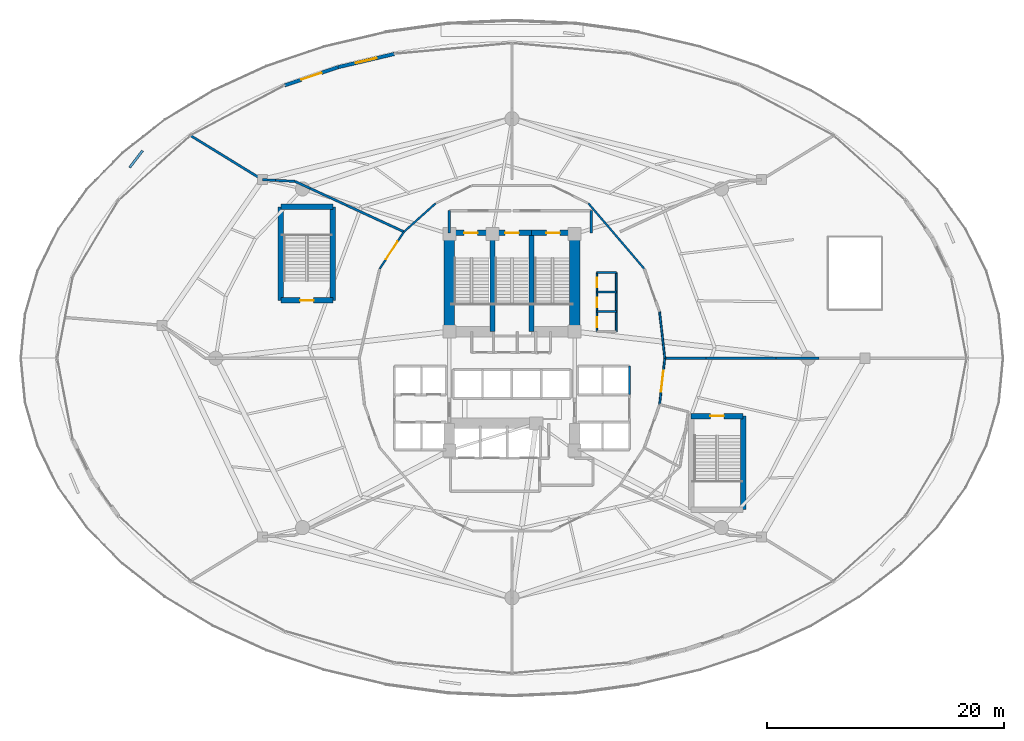
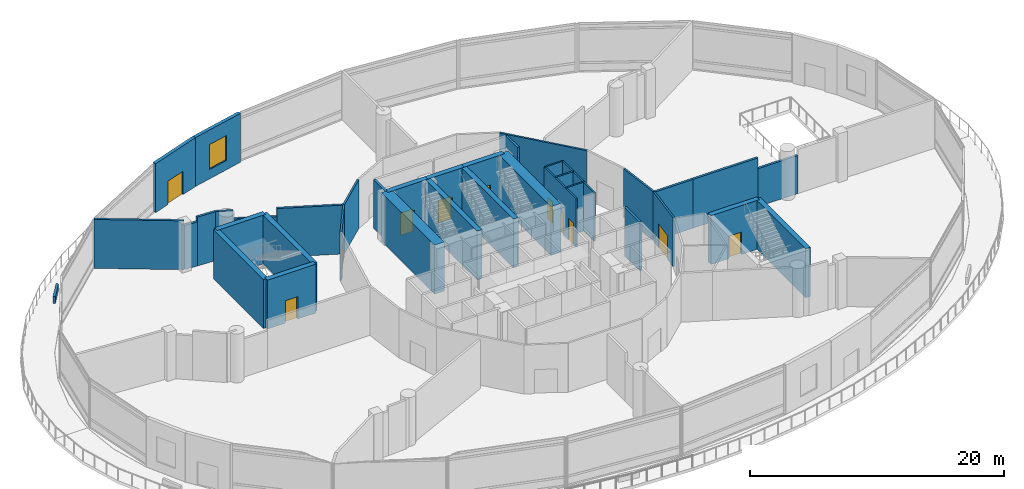
# One storey, part 28 of 37: 38 walls, 11 doors, 1 window, 12 openings.
"""IFC4 building model written with IfcOpenShell, lengths in metres."""

import ifcopenshell
import ifcopenshell.guid

model = None  # the IFC model being written
_history = None  # IfcOwnerHistory: only IFC2X3 demands one
_inside = {}  # id of a spatial element -> (the spatial element, [elements in it])
_under = {}  # id of a project, library or spatial element -> (it, [spatial elements below it])
_declared = {}  # id of a project -> (the project, [libraries it declares])
_typed = {}  # id of a type object -> (the type object, [elements of that type])
_made_of = {}  # id of a material, layer set ... -> (it, [elements and type objects made of it])


def new_model(schema):
    """Start an empty IFC model of exactly this schema.

    Asked for "IFC4X3", IfcOpenShell would pick the latest addendum, in which some entities
    have other attributes; the version numbers below select the first issue.
    IFC2X3 requires an IfcOwnerHistory on every rooted entity: one is made here for all.
    """
    global model, _history
    if schema == "IFC4X3":
        model = ifcopenshell.file(schema_version=(4, 3, 0, 0))
    else:
        model = ifcopenshell.file(schema=schema)
    _inside.clear()
    _under.clear()
    _declared.clear()
    _typed.clear()
    _made_of.clear()
    _history = None
    if model.schema == "IFC2X3":
        org = make("IfcOrganization", Name="unknown")
        user = make(
            "IfcPersonAndOrganization",
            ThePerson=make("IfcPerson", FamilyName="unknown"),
            TheOrganization=org,
        )
        app = make(
            "IfcApplication",
            ApplicationDeveloper=org,
            Version="unknown",
            ApplicationFullName="unknown",
            ApplicationIdentifier="unknown",
        )
        _history = make(
            "IfcOwnerHistory",
            OwningUser=user,
            OwningApplication=app,
            ChangeAction="ADDED",
            CreationDate=0,
        )
    return model


def make(cls, **values):
    """One entity of the class cls with the attributes given. An attribute that is None is left unset."""
    return model.create_entity(
        cls, **{name: value for name, value in values.items() if value is not None}
    )


def rooted(cls, **values):
    """An entity with a GlobalId (a new one), such as an element, a storey or a relation."""
    return make(cls, GlobalId=ifcopenshell.guid.new(), OwnerHistory=_history, **values)


def si_unit(unit_type, name, prefix=None):
    """IfcSIUnit, for example si_unit("LENGTHUNIT", "METRE", prefix="MILLI")."""
    return make("IfcSIUnit", UnitType=unit_type, Prefix=prefix, Name=name)


def assignment(units):
    """IfcUnitAssignment: the units of a project."""
    return None if units is None else make("IfcUnitAssignment", Units=units)


def point(xyz):
    """IfcCartesianPoint."""
    return None if xyz is None else make("IfcCartesianPoint", Coordinates=xyz)


def direction(xyz):
    """IfcDirection."""
    return None if xyz is None else make("IfcDirection", DirectionRatios=xyz)


def frame(location, z_axis=None, x_axis=None):
    """IfcAxis2Placement3D, a coordinate frame: its origin and axes. An axis left out is left unset."""
    return make(
        "IfcAxis2Placement3D",
        Location=point(location),
        Axis=direction(z_axis),
        RefDirection=direction(x_axis),
    )


def frame_2d(location, x_axis=None):
    """IfcAxis2Placement2D, a coordinate frame in the plane: its origin and x axis."""
    return make(
        "IfcAxis2Placement2D", Location=point(location), RefDirection=direction(x_axis)
    )


def origin():
    """The frame at (0, 0, 0) with its axes left unset."""
    return frame((0.0, 0.0, 0.0))


def place(relative_to, where):
    """IfcLocalPlacement: puts the frame where relative to a parent placement (None: the world)."""
    return make(
        "IfcLocalPlacement", PlacementRelTo=relative_to, RelativePlacement=where
    )


def context(
    kind, dimensions, precision=None, world=None, true_north=None, identifier=None
):
    """IfcGeometricRepresentationContext, for example the 3D "Model" context."""
    return make(
        "IfcGeometricRepresentationContext",
        ContextIdentifier=identifier,
        ContextType=kind,
        CoordinateSpaceDimension=dimensions,
        Precision=precision,
        WorldCoordinateSystem=world,
        TrueNorth=true_north,
    )


def subcontext(parent, identifier, kind, view, scale=None):
    """IfcGeometricRepresentationSubContext, for example "Body" below "Model"."""
    return make(
        "IfcGeometricRepresentationSubContext",
        ContextIdentifier=identifier,
        ContextType=kind,
        ParentContext=parent,
        TargetScale=scale,
        TargetView=view,
    )


def project(units=None, contexts=None):
    """IfcProject with its units and contexts."""
    return rooted(
        "IfcProject",
        Name="project",
        RepresentationContexts=contexts,
        UnitsInContext=assignment(units),
    )


def spatial(cls, under=None, at=None, **own):
    """A site, building, storey or space (cls), placed at a placement, below another one or the project."""
    s = rooted(cls, ObjectPlacement=at, **own)
    if under is not None:
        _under.setdefault(under.id(), (under, []))[1].append(s)
    return s


def profile(cls, at=None, kind="AREA", **sizes):
    """A parametric profile (cls). Its sizes go by their IFC names, for example OverallWidth=200.0."""
    return make(cls, ProfileType=kind, Position=at, **sizes)


def rectangle(**sizes):
    """IfcRectangleProfileDef."""
    return profile("IfcRectangleProfileDef", **sizes)


def extrude(swept, where, along, depth):
    """IfcExtrudedAreaSolid: the profile swept, set in the frame where, extruded along a direction by depth."""
    return make(
        "IfcExtrudedAreaSolid",
        SweptArea=swept,
        Position=where,
        ExtrudedDirection=direction(along),
        Depth=depth,
    )


def shape(context_of_items, identifier, shape_type, items):
    """IfcShapeRepresentation: the items that make up one representation, for example the "Body"."""
    return make(
        "IfcShapeRepresentation",
        ContextOfItems=context_of_items,
        RepresentationIdentifier=identifier,
        RepresentationType=shape_type,
        Items=items,
    )


def material(Name=None, Category=None):
    """IfcMaterial."""
    return make("IfcMaterial", Name=Name, Category=Category)


def layer(
    of_material, thickness, ventilated=None, Name=None, Category=None, Priority=None
):
    """IfcMaterialLayer: one layer of a wall or slab, of a material (None: an air gap)."""
    return make(
        "IfcMaterialLayer",
        Material=of_material,
        LayerThickness=thickness,
        IsVentilated=ventilated,
        Name=Name,
        Category=Category,
        Priority=Priority,
    )


def layer_set(layers, Name=None):
    """IfcMaterialLayerSet."""
    return make("IfcMaterialLayerSet", MaterialLayers=layers, LayerSetName=Name)


def made_of(thing, what):
    """Note that an element or type object is made of a material, layer set ...; save() writes the relation."""
    if what is not None:
        _made_of.setdefault(what.id(), (what, []))[1].append(thing)
    return thing


def type_object(cls, material=None, **own):
    """A type object (cls), such as IfcWallType, which elements share."""
    return made_of(rooted(cls, **own), material)


def element(
    cls,
    number,
    at=None,
    inside=None,
    cuts=None,
    type_object=None,
    material=None,
    context=None,
    identifier="Body",
    shape_type=None,
    held_by="IfcProductDefinitionShape",
    body=None,
    shapes=None,
    **own,
):
    """One element of the class cls, such as IfcWall. Its Tag is "e" and its number.

    at: its placement. inside: the storey or other place that contains it. cuts: it is an
    opening in that element (IfcRelVoidsElement). A single representation is given by context,
    identifier, shape_type and body (its items); several are given by shapes. held_by: the class
    of the entity that holds the representations. save() writes the other relations.
    """
    e = rooted(cls, Tag="e%d" % number, ObjectPlacement=at, **own)
    if body is not None:
        shapes = [shape(context, identifier, shape_type, body)]
    if shapes is not None:
        e.Representation = make(held_by, Representations=shapes)
    if inside is not None:
        _inside.setdefault(inside.id(), (inside, []))[1].append(e)
    if cuts is not None:
        rooted(
            "IfcRelVoidsElement", RelatingBuildingElement=cuts, RelatedOpeningElement=e
        )
    if type_object is not None:
        _typed.setdefault(type_object.id(), (type_object, []))[1].append(e)
    return made_of(e, material)


def fill(opening, filler):
    """IfcRelFillsElement: the door or window that sits in an opening."""
    return rooted(
        "IfcRelFillsElement",
        RelatingOpeningElement=opening,
        RelatedBuildingElement=filler,
    )


def aggregate(whole, parts):
    """IfcRelAggregates: a whole, such as a stair, and the parts it consists of."""
    return rooted("IfcRelAggregates", RelatingObject=whole, RelatedObjects=parts)


def save(model, path):
    """Write the relations noted so far, then the file.

    IfcRelAggregates (storeys below a building ...), IfcRelContainedInSpatialStructure (elements
    in a storey), IfcRelDefinesByType, IfcRelAssociatesMaterial and IfcRelDeclares: one each for
    every whole, place, type object, material and project.
    """
    for whole, parts in _under.values():
        aggregate(whole, parts)
    for where, things in _inside.values():
        rooted(
            "IfcRelContainedInSpatialStructure",
            RelatedElements=things,
            RelatingStructure=where,
        )
    for kind, things in _typed.values():
        rooted("IfcRelDefinesByType", RelatedObjects=things, RelatingType=kind)
    for what, things in _made_of.values():
        rooted("IfcRelAssociatesMaterial", RelatedObjects=things, RelatingMaterial=what)
    for by, libraries in _declared.values():
        rooted("IfcRelDeclares", RelatingContext=by, RelatedDefinitions=libraries)
    model.write(path)


model = new_model("IFC4")

# Units and contexts
model_context = context("Model", 3, precision=1e-05, world=origin(), true_north=direction((0.0, 1.0)))
body_context = subcontext(model_context, "Body", "Model", "MODEL_VIEW")
ifc_project = project(units=[si_unit("LENGTHUNIT", "METRE"), si_unit("AREAUNIT", "SQUARE_METRE"), si_unit("VOLUMEUNIT", "CUBIC_METRE"), si_unit("PLANEANGLEUNIT", "RADIAN"), si_unit("MASSUNIT", "GRAM", prefix="KILO")], contexts=[model_context])

# Site, building, storey
site_placement = place(None, origin())
site = spatial("IfcSite", under=ifc_project, at=site_placement, CompositionType="ELEMENT")
building_placement = place(site_placement, origin())
building = spatial("IfcBuilding", under=site, at=building_placement, Name="Nuhasar Tower", CompositionType="ELEMENT")
storey_placement = place(building_placement, frame((0.0, 0.0, 6.0)))
storey = spatial("IfcBuildingStorey", under=building, at=storey_placement, Name="L01", CompositionType="ELEMENT", Elevation=6.0)

# Wall, opening, window
ifc_material_1 = material(Name="Concrete C45/55", Category="concrete")
ifc_layer_1 = layer(ifc_material_1, 0.239990234375)
ifc_material_2 = material(Name="Limestone Ashlar", Category="masonry")
ifc_layer_2 = layer(ifc_material_2, 0.06005859375)
ifc_layer_set_1 = layer_set([ifc_layer_1, ifc_layer_2], Name="Concrete C45/55")
wall_type_1 = type_object("IfcWallType", Name="WL-ARC-300", PredefinedType="STANDARD", material=ifc_layer_set_1)
wall_1_placement = place(storey_placement, frame((24.2900390625, 51.412109375, 0.0), z_axis=(0.0, 0.0, 1.0), x_axis=(0.973433532114, 0.228969776514, 0.0)))
wall_1 = element("IfcWall", 1, at=wall_1_placement, inside=storey, type_object=wall_type_1, Name="L01 Limestone Arcade Spandrel Pier 08-1", PredefinedType="STANDARD", context=body_context, shape_type="SweptSolid", body=[
    extrude(rectangle(XDim=4.890869140625, YDim=0.300048828125, at=frame_2d((2.4453125, 0.0))), origin(), (0.0, 0.0, 1.0), 4.699951171875),
])
opening_1_placement = place(wall_1_placement, frame((1.544921875, 0.0, 0.89990234375)))
opening_1 = element("IfcOpeningElement", 2, at=opening_1_placement, cuts=wall_1, Name="Opening WX-01", PredefinedType="OPENING", context=body_context, shape_type="SweptSolid", body=[
    extrude(rectangle(XDim=1.800048828125, YDim=2.39990234375, at=frame_2d((0.89990234375, 1.199951171875))), frame((0.0, 0.16015625, 0.0), z_axis=(0.0, -1.0, 0.0), x_axis=(1.0, 0.0, 0.0)), (0.0, 0.0, 1.0), 0.320068359375),
])
ifc_material_3 = material(Name="Glass Double Low-E", Category="glass")
window_type = type_object("IfcWindowType", Name="WIN-ARC-1800", PartitioningType="DOUBLE_PANEL_VERTICAL", PredefinedType="WINDOW", material=ifc_material_3)
window_placement = place(opening_1_placement, origin())
window = element("IfcWindow", 3, at=window_placement, inside=storey, type_object=window_type, Name="L01 Arcade Vision Window 08", OverallHeight=2.39990234375, OverallWidth=1.800048828125, PartitioningType="DOUBLE_PANEL_VERTICAL", PredefinedType="WINDOW", context=body_context, shape_type="SweptSolid", body=[
    extrude(rectangle(XDim=1.800048828125, YDim=2.39990234375, at=frame_2d((0.89990234375, 1.199951171875))), frame((0.0, 0.030029296875, 0.0), z_axis=(0.0, -1.0, 0.0), x_axis=(1.0, 0.0, 0.0)), (0.0, 0.0, 1.0), 0.06005859375),
])
fill(opening_1, window)

# Wall, opening, door
wall_2_placement = place(storey_placement, frame((19.780029296875, 49.87109375, 0.0), z_axis=(0.0, 0.0, 1.0), x_axis=(0.946284884259, 0.323334065362, 0.0)))
wall_2 = element("IfcWall", 4, at=wall_2_placement, inside=storey, type_object=wall_type_1, Name="L01 Limestone Arcade Spandrel Pier 08-2", PredefinedType="STANDARD", context=body_context, shape_type="SweptSolid", body=[
    extrude(rectangle(XDim=4.76611328125, YDim=0.300048828125, at=frame_2d((2.383056640625, 0.0))), origin(), (0.0, 0.0, 1.0), 4.699951171875),
])
opening_2_placement = place(wall_2_placement, frame((1.48291015625, 0.0, 0.0)))
opening_2 = element("IfcOpeningElement", 5, at=opening_2_placement, cuts=wall_2, Name="Opening DX-02", PredefinedType="OPENING", context=body_context, shape_type="SweptSolid", body=[
    extrude(rectangle(XDim=1.800048828125, YDim=2.25, at=frame_2d((0.89990234375, 1.125))), frame((0.0, 0.16015625, 0.0), z_axis=(0.0, -1.0, 0.0), x_axis=(1.0, 0.0, 0.0)), (0.0, 0.0, 1.0), 0.320068359375),
])
ifc_material_4 = material(Name="Aluminium 6063-T6", Category="aluminium")
door_type_1 = type_object("IfcDoorType", Name="DR-TERR-1800", OperationType="DOUBLE_DOOR_SINGLE_SWING", PredefinedType="DOOR", material=ifc_material_4)
door_1_placement = place(opening_2_placement, origin())
door_1 = element("IfcDoor", 6, at=door_1_placement, inside=storey, type_object=door_type_1, Name="L01 Bustan Terrace Door 08", OperationType="DOUBLE_DOOR_SINGLE_SWING", OverallHeight=2.25, OverallWidth=1.800048828125, PredefinedType="DOOR", context=body_context, shape_type="SweptSolid", body=[
    extrude(rectangle(XDim=1.800048828125, YDim=2.25, at=frame_2d((0.89990234375, 1.125))), frame((0.0, 0.02490234375, 0.0), z_axis=(0.0, -1.0, 0.0), x_axis=(1.0, 0.0, 0.0)), (0.0, 0.0, 1.0), 0.050048828125),
])
fill(opening_2, door_1)

ifc_material_5 = material(Name="Concrete C50/60", Category="concrete")
ifc_layer_3 = layer(ifc_material_5, 0.449951171875)
ifc_layer_set_2 = layer_set([ifc_layer_3], Name="Concrete C50/60")
wall_type_2 = type_object("IfcWallType", Name="WL-CORE-450", PredefinedType="SHEAR", material=ifc_layer_set_2)
wall_3_placement = place(storey_placement, frame((37.35009765625, 37.39990234375, 0.0), z_axis=(0.0, 0.0, 1.0), x_axis=(-1.0, 0.0, 0.0)))
wall_3 = element("IfcWall", 7, at=wall_3_placement, inside=storey, type_object=wall_type_2, Name="L01 Stairwell Shear Wall ST01-N", PredefinedType="SHEAR", context=body_context, shape_type="SweptSolid", body=[
    extrude(rectangle(XDim=3.650146484375, YDim=0.449951171875, at=frame_2d((1.8251953125, 0.0))), origin(), (0.0, 0.0, 1.0), 4.699951171875),
])
opening_3_placement = place(wall_3_placement, frame((1.25, 0.0, 0.0)))
opening_3 = element("IfcOpeningElement", 8, at=opening_3_placement, cuts=wall_3, Name="Opening DS-01", PredefinedType="OPENING", context=body_context, shape_type="SweptSolid", body=[
    extrude(rectangle(XDim=1.14990234375, YDim=2.14990234375, at=frame_2d((0.574951171875, 1.074951171875))), frame((0.0, 0.23486328125, 0.0), z_axis=(0.0, -1.0, 0.0), x_axis=(1.0, 0.0, 0.0)), (0.0, 0.0, 1.0), 0.469970703125),
])
ifc_material_6 = material(Name="Steel S355", Category="steel")
door_type_2 = type_object("IfcDoorType", Name="DR-STAIR-FD120-1150", OperationType="NOTDEFINED", PredefinedType="DOOR", material=ifc_material_6)
door_2_placement = place(opening_3_placement, origin())
door_2 = element("IfcDoor", 9, at=door_2_placement, inside=storey, type_object=door_type_2, Name="L01 Exit Stair ST-01 Door", OperationType="SINGLE_SWING_RIGHT", OverallHeight=2.14990234375, OverallWidth=1.14990234375, PredefinedType="DOOR", context=body_context, shape_type="SweptSolid", body=[
    extrude(rectangle(XDim=1.14990234375, YDim=2.14990234375, at=frame_2d((0.574951171875, 1.074951171875))), frame((0.0, 0.02490234375, 0.0), z_axis=(0.0, -1.0, 0.0), x_axis=(1.0, 0.0, 0.0)), (0.0, 0.0, 1.0), 0.050048828125),
])
fill(opening_3, door_2)

# Wall
wall_4_placement = place(storey_placement, frame((37.35009765625, 29.050048828125, 0.0), z_axis=(0.0, 0.0, 1.0), x_axis=(0.0, 1.0, 0.0)))
element("IfcWall", 10, at=wall_4_placement, inside=storey, type_object=wall_type_2, Name="L01 Stairwell Shear Wall ST01-E", PredefinedType="SHEAR", context=body_context, shape_type="SweptSolid", body=[
    extrude(rectangle(XDim=8.349853515625, YDim=0.449951171875, at=frame_2d((4.1748046875, 0.0))), origin(), (0.0, 0.0, 1.0), 4.699951171875),
])

# Wall, opening, door
wall_5_placement = place(storey_placement, frame((40.64990234375, 37.39990234375, 0.0), z_axis=(0.0, 0.0, 1.0), x_axis=(-1.0, 0.0, 0.0)))
wall_5 = element("IfcWall", 11, at=wall_5_placement, inside=storey, type_object=wall_type_2, Name="L01 Stairwell Shear Wall ST03-N", PredefinedType="SHEAR", context=body_context, shape_type="SweptSolid", body=[
    extrude(rectangle(XDim=3.2998046875, YDim=0.449951171875, at=frame_2d((1.64990234375, 0.0))), origin(), (0.0, 0.0, 1.0), 4.699951171875),
])
opening_4_placement = place(wall_5_placement, frame((1.074951171875, 0.0, 0.0)))
opening_4 = element("IfcOpeningElement", 12, at=opening_4_placement, cuts=wall_5, Name="Opening DS-01", PredefinedType="OPENING", context=body_context, shape_type="SweptSolid", body=[
    extrude(rectangle(XDim=1.14990234375, YDim=2.14990234375, at=frame_2d((0.574951171875, 1.074951171875))), frame((0.0, 0.23486328125, 0.0), z_axis=(0.0, -1.0, 0.0), x_axis=(1.0, 0.0, 0.0)), (0.0, 0.0, 1.0), 0.469970703125),
])
door_3_placement = place(opening_4_placement, origin())
door_3 = element("IfcDoor", 13, at=door_3_placement, inside=storey, type_object=door_type_2, Name="L01 Exit Stair ST-03 Door", OperationType="SINGLE_SWING_RIGHT", OverallHeight=2.14990234375, OverallWidth=1.14990234375, PredefinedType="DOOR", context=body_context, shape_type="SweptSolid", body=[
    extrude(rectangle(XDim=1.14990234375, YDim=2.14990234375, at=frame_2d((0.574951171875, 1.074951171875))), frame((0.0, 0.02490234375, 0.0), z_axis=(0.0, -1.0, 0.0), x_axis=(1.0, 0.0, 0.0)), (0.0, 0.0, 1.0), 0.050048828125),
])
fill(opening_4, door_3)

# Wall
wall_6_placement = place(storey_placement, frame((40.64990234375, 29.050048828125, 0.0), z_axis=(0.0, 0.0, 1.0), x_axis=(0.0, 1.0, 0.0)))
element("IfcWall", 14, at=wall_6_placement, inside=storey, type_object=wall_type_2, Name="L01 Stairwell Shear Wall ST03-E", PredefinedType="SHEAR", context=body_context, shape_type="SweptSolid", body=[
    extrude(rectangle(XDim=8.349853515625, YDim=0.449951171875, at=frame_2d((4.1748046875, 0.0))), origin(), (0.0, 0.0, 1.0), 4.699951171875),
])

# Wall, opening, door
wall_7_placement = place(storey_placement, frame((44.300048828125, 37.39990234375, 0.0), z_axis=(0.0, 0.0, 1.0), x_axis=(-1.0, 0.0, 0.0)))
wall_7 = element("IfcWall", 15, at=wall_7_placement, inside=storey, type_object=wall_type_2, Name="L01 Stairwell Shear Wall ST02-N", PredefinedType="SHEAR", context=body_context, shape_type="SweptSolid", body=[
    extrude(rectangle(XDim=3.650146484375, YDim=0.449951171875, at=frame_2d((1.8251953125, 0.0))), origin(), (0.0, 0.0, 1.0), 4.699951171875),
])
opening_5_placement = place(wall_7_placement, frame((1.25, 0.0, 0.0)))
opening_5 = element("IfcOpeningElement", 16, at=opening_5_placement, cuts=wall_7, Name="Opening DS-01", PredefinedType="OPENING", context=body_context, shape_type="SweptSolid", body=[
    extrude(rectangle(XDim=1.14990234375, YDim=2.14990234375, at=frame_2d((0.574951171875, 1.074951171875))), frame((0.0, 0.23486328125, 0.0), z_axis=(0.0, -1.0, 0.0), x_axis=(1.0, 0.0, 0.0)), (0.0, 0.0, 1.0), 0.469970703125),
])
door_4_placement = place(opening_5_placement, origin())
door_4 = element("IfcDoor", 17, at=door_4_placement, inside=storey, type_object=door_type_2, Name="L01 Exit Stair ST-02 Door", OperationType="SINGLE_SWING_LEFT", OverallHeight=2.14990234375, OverallWidth=1.14990234375, PredefinedType="DOOR", context=body_context, shape_type="SweptSolid", body=[
    extrude(rectangle(XDim=1.14990234375, YDim=2.14990234375, at=frame_2d((0.574951171875, 1.074951171875))), frame((0.0, 0.02490234375, 0.0), z_axis=(0.0, -1.0, 0.0), x_axis=(1.0, 0.0, 0.0)), (0.0, 0.0, 1.0), 0.050048828125),
])
fill(opening_5, door_4)

wall_8_placement = place(storey_placement, frame((19.449951171875, 31.699951171875, 0.0), z_axis=(0.0, 0.0, 1.0), x_axis=(1.0, 0.0, 0.0)))
wall_8 = element("IfcWall", 18, at=wall_8_placement, inside=storey, type_object=wall_type_2, Name="L01 Stairwell Shear Wall ST-04-S", PredefinedType="SHEAR", context=body_context, shape_type="SweptSolid", body=[
    extrude(rectangle(XDim=4.400146484375, YDim=0.449951171875, at=frame_2d((2.2001953125, 0.0))), origin(), (0.0, 0.0, 1.0), 4.699951171875),
])
opening_6_placement = place(wall_8_placement, frame((1.625, 0.0, 0.0)))
opening_6 = element("IfcOpeningElement", 19, at=opening_6_placement, cuts=wall_8, Name="Opening DS-01", PredefinedType="OPENING", context=body_context, shape_type="SweptSolid", body=[
    extrude(rectangle(XDim=1.14990234375, YDim=2.14990234375, at=frame_2d((0.574951171875, 1.074951171875))), frame((0.0, 0.23486328125, 0.0), z_axis=(0.0, -1.0, 0.0), x_axis=(1.0, 0.0, 0.0)), (0.0, 0.0, 1.0), 0.469970703125),
])
door_5_placement = place(opening_6_placement, origin())
door_5 = element("IfcDoor", 20, at=door_5_placement, inside=storey, type_object=door_type_2, Name="L01 Exit Stair ST-04 Door", OperationType="SINGLE_SWING_LEFT", OverallHeight=2.14990234375, OverallWidth=1.14990234375, PredefinedType="DOOR", context=body_context, shape_type="SweptSolid", body=[
    extrude(rectangle(XDim=1.14990234375, YDim=2.14990234375, at=frame_2d((0.574951171875, 1.074951171875))), frame((0.0, 0.02490234375, 0.0), z_axis=(0.0, -1.0, 0.0), x_axis=(1.0, 0.0, 0.0)), (0.0, 0.0, 1.0), 0.050048828125),
])
fill(opening_6, door_5)

# Walls
wall_9_placement = place(storey_placement, frame((19.449951171875, 39.60009765625, 0.0), z_axis=(0.0, 0.0, 1.0), x_axis=(1.0, 0.0, 0.0)))
element("IfcWall", 21, at=wall_9_placement, inside=storey, type_object=wall_type_2, Name="L01 Stairwell Shear Wall ST-04-N", PredefinedType="SHEAR", context=body_context, shape_type="SweptSolid", body=[
    extrude(rectangle(XDim=4.400146484375, YDim=0.449951171875, at=frame_2d((2.2001953125, 0.0))), origin(), (0.0, 0.0, 1.0), 4.699951171875),
])
for number, where, z_axis, x_axis, name in (
    (22, (19.449951171875, 31.699951171875, 0.0), (0.0, 0.0, 1.0), (0.0, 1.0, 0.0), "L01 Stairwell Shear Wall ST-04-W"),
    (23, (23.85009765625, 31.699951171875, 0.0), (0.0, 0.0, 1.0), (0.0, 1.0, 0.0), "L01 Stairwell Shear Wall ST-04-E"),
):
    element("IfcWall", number, at=place(storey_placement, frame(where, z_axis=z_axis, x_axis=x_axis)), inside=storey, type_object=wall_type_2, Name=name, PredefinedType="SHEAR", context=body_context, shape_type="SweptSolid", body=[
        extrude(rectangle(XDim=7.900146484375, YDim=0.449951171875, at=frame_2d((3.9501953125, 0.0))), origin(), (0.0, 0.0, 1.0), 4.699951171875),
    ])

# Wall, opening, door
wall_10_placement = place(storey_placement, frame((58.550048828125, 21.89990234375, 0.0), z_axis=(0.0, 0.0, 1.0), x_axis=(-1.0, 0.0, 0.0)))
wall_10 = element("IfcWall", 24, at=wall_10_placement, inside=storey, type_object=wall_type_2, Name="L01 Stairwell Shear Wall ST-05-N", PredefinedType="SHEAR", context=body_context, shape_type="SweptSolid", body=[
    extrude(rectangle(XDim=4.400146484375, YDim=0.449951171875, at=frame_2d((2.2001953125, 0.0))), origin(), (0.0, 0.0, 1.0), 4.699951171875),
])
opening_7_placement = place(wall_10_placement, frame((1.625, 0.0, 0.0)))
opening_7 = element("IfcOpeningElement", 25, at=opening_7_placement, cuts=wall_10, Name="Opening DS-01", PredefinedType="OPENING", context=body_context, shape_type="SweptSolid", body=[
    extrude(rectangle(XDim=1.14990234375, YDim=2.14990234375, at=frame_2d((0.574951171875, 1.074951171875))), frame((0.0, 0.23486328125, 0.0), z_axis=(0.0, -1.0, 0.0), x_axis=(1.0, 0.0, 0.0)), (0.0, 0.0, 1.0), 0.469970703125),
])
door_6_placement = place(opening_7_placement, origin())
door_6 = element("IfcDoor", 26, at=door_6_placement, inside=storey, type_object=door_type_2, Name="L01 Exit Stair ST-05 Door", OperationType="SINGLE_SWING_RIGHT", OverallHeight=2.14990234375, OverallWidth=1.14990234375, PredefinedType="DOOR", context=body_context, shape_type="SweptSolid", body=[
    extrude(rectangle(XDim=1.14990234375, YDim=2.14990234375, at=frame_2d((0.574951171875, 1.074951171875))), frame((0.0, 0.02490234375, 0.0), z_axis=(0.0, -1.0, 0.0), x_axis=(1.0, 0.0, 0.0)), (0.0, 0.0, 1.0), 0.050048828125),
])
fill(opening_7, door_6)

# Walls
wall_11_placement = place(storey_placement, frame((58.550048828125, 14.0, 0.0), z_axis=(0.0, 0.0, 1.0), x_axis=(0.0, 1.0, 0.0)))
element("IfcWall", 27, at=wall_11_placement, inside=storey, type_object=wall_type_2, Name="L01 Stairwell Shear Wall ST-05-E", PredefinedType="SHEAR", context=body_context, shape_type="SweptSolid", body=[
    extrude(rectangle(XDim=7.89990234375, YDim=0.449951171875, at=frame_2d((3.949951171875, 0.0))), origin(), (0.0, 0.0, 1.0), 4.699951171875),
])
ifc_material_7 = material(Name="Concrete C80/95", Category="concrete")
ifc_layer_4 = layer(ifc_material_7, 0.89990234375)
ifc_layer_set_3 = layer_set([ifc_layer_4], Name="Concrete C80/95")
wall_type_3 = type_object("IfcWallType", Name="WL-CORE-900", PredefinedType="SHEAR", material=ifc_layer_set_3)
for number, where, z_axis, x_axis, name in (
    (28, (33.699951171875, 29.050048828125, 0.0), (0.0, 0.0, 1.0), (0.0, 1.0, 0.0), "L01 Core Shear Wall CW-NW CW-900"),
    (29, (44.300048828125, 29.050048828125, 0.0), (0.0, 0.0, 1.0), (0.0, 1.0, 0.0), "L01 Core Shear Wall CW-NE CW-900"),
):
    element("IfcWall", number, at=place(storey_placement, frame(where, z_axis=z_axis, x_axis=x_axis)), inside=storey, type_object=wall_type_3, Name=name, PredefinedType="SHEAR", context=body_context, shape_type="SweptSolid", body=[
        extrude(rectangle(XDim=8.349853515625, YDim=0.89990234375, at=frame_2d((4.1748046875, 0.0))), origin(), (0.0, 0.0, 1.0), 4.699951171875),
    ])
ifc_material_8 = material(Name="Gypsum Board", Category="gypsum")
ifc_layer_5 = layer(ifc_material_8, 0.159912109375)
ifc_layer_set_4 = layer_set([ifc_layer_5], Name="Gypsum Board")
wall_type_4 = type_object("IfcWallType", Name="WL-CORR-160", PredefinedType="PARTITIONING", material=ifc_layer_set_4)
wall_12_placement = place(storey_placement, frame((51.919921875, 26.800048828125, 0.0), z_axis=(0.0, 0.0, 1.0), x_axis=(-0.111731247657, 0.993738460711, 0.0)))
element("IfcWall", 30, at=wall_12_placement, inside=storey, type_object=wall_type_4, Name="L01 Interior Partition CORR-00", PredefinedType="PARTITIONING", context=body_context, shape_type="SweptSolid", body=[
    extrude(rectangle(XDim=3.9375, YDim=0.159912109375, at=frame_2d((1.96875, 0.0))), origin(), (0.0, 0.0, 1.0), 4.699951171875),
])
wall_13_placement = place(storey_placement, frame((50.18896484375, 34.360107421875, 0.0), z_axis=(0.0, 0.0, 1.0), x_axis=(-0.649652680018, 0.760231145998, 0.0)))
element("IfcWall", 31, at=wall_13_placement, inside=storey, type_object=wall_type_4, Name="L01 Interior Partition CORR-04", PredefinedType="PARTITIONING", context=body_context, shape_type="SweptSolid", body=[
    extrude(rectangle(XDim=7.279296875, YDim=0.159912109375, at=frame_2d((3.6396484375, 0.0))), origin(), (0.0, 0.0, 1.0), 4.699951171875),
])
wall_14_placement = place(storey_placement, frame((32.5400390625, 39.89404296875, 0.0), z_axis=(0.0, 0.0, 1.0), x_axis=(-0.744032872127, -0.668143012531, 0.0)))
element("IfcWall", 32, at=wall_14_placement, inside=storey, type_object=wall_type_4, Name="L01 Interior Partition CORR-16", PredefinedType="PARTITIONING", context=body_context, shape_type="SweptSolid", body=[
    extrude(rectangle(XDim=3.5966796875, YDim=0.159912109375, at=frame_2d((1.79833984375, 0.0))), origin(), (0.0, 0.0, 1.0), 4.699951171875),
])

# Wall, opening, door
wall_15_placement = place(storey_placement, frame((27.81103515625, 34.360107421875, 0.0), z_axis=(0.0, 0.0, 1.0), x_axis=(0.548348738977, 0.836249759619, 0.0)))
wall_15 = element("IfcWall", 33, at=wall_15_placement, inside=storey, type_object=wall_type_4, Name="L01 Interior Partition CORR-18", PredefinedType="PARTITIONING", context=body_context, shape_type="SweptSolid", body=[
    extrude(rectangle(XDim=3.743896484375, YDim=0.159912109375, at=frame_2d((1.8720703125, 0.0))), origin(), (0.0, 0.0, 1.0), 4.699951171875),
])
opening_8_placement = place(wall_15_placement, frame((0.971923828125, 0.0, 0.0)))
opening_8 = element("IfcOpeningElement", 34, at=opening_8_placement, cuts=wall_15, Name="Opening DB-02", PredefinedType="OPENING", context=body_context, shape_type="SweptSolid", body=[
    extrude(rectangle(XDim=1.800048828125, YDim=2.300048828125, at=frame_2d((0.89990234375, 1.14990234375))), frame((0.0, 0.08984375, 0.0), z_axis=(0.0, -1.0, 0.0), x_axis=(1.0, 0.0, 0.0)), (0.0, 0.0, 1.0), 0.179931640625),
])
door_type_3 = type_object("IfcDoorType", Name="DR-BALL-FD60-1800", OperationType="DOUBLE_DOOR_SINGLE_SWING", PredefinedType="DOOR", material=ifc_material_4)
door_7_placement = place(opening_8_placement, origin())
door_7 = element("IfcDoor", 35, at=door_7_placement, inside=storey, type_object=door_type_3, Name="L01 Contemporary Art Gallery Door", OperationType="DOUBLE_DOOR_SINGLE_SWING", OverallHeight=2.300048828125, OverallWidth=1.800048828125, PredefinedType="DOOR", context=body_context, shape_type="SweptSolid", body=[
    extrude(rectangle(XDim=1.800048828125, YDim=2.300048828125, at=frame_2d((0.89990234375, 1.14990234375))), frame((0.0, 0.02490234375, 0.0), z_axis=(0.0, -1.0, 0.0), x_axis=(1.0, 0.0, 0.0)), (0.0, 0.0, 1.0), 0.050048828125),
])
fill(opening_8, door_7)

wall_16_placement = place(storey_placement, frame((51.919921875, 26.800048828125, 0.0), z_axis=(0.0, 0.0, 1.0), x_axis=(-0.111724363671, -0.99373923469, 0.0)))
wall_16 = element("IfcWall", 36, at=wall_16_placement, inside=storey, type_object=wall_type_4, Name="L01 Interior Partition CORR-46", PredefinedType="PARTITIONING", context=body_context, shape_type="SweptSolid", body=[
    extrude(rectangle(XDim=3.937744140625, YDim=0.159912109375, at=frame_2d((1.96875, 0.0))), origin(), (0.0, 0.0, 1.0), 4.699951171875),
])
opening_9_placement = place(wall_16_placement, frame((1.069091796875, 0.0, 0.0)))
opening_9 = element("IfcOpeningElement", 37, at=opening_9_placement, cuts=wall_16, Name="Opening DB-02", PredefinedType="OPENING", context=body_context, shape_type="SweptSolid", body=[
    extrude(rectangle(XDim=1.800048828125, YDim=2.300048828125, at=frame_2d((0.89990234375, 1.14990234375))), frame((0.0, 0.08984375, 0.0), z_axis=(0.0, -1.0, 0.0), x_axis=(1.0, 0.0, 0.0)), (0.0, 0.0, 1.0), 0.179931640625),
])
door_8_placement = place(opening_9_placement, origin())
door_8 = element("IfcDoor", 38, at=door_8_placement, inside=storey, type_object=door_type_3, Name="L01 South-East Boutique Door", OperationType="DOUBLE_DOOR_SINGLE_SWING", OverallHeight=2.300048828125, OverallWidth=1.800048828125, PredefinedType="DOOR", context=body_context, shape_type="SweptSolid", body=[
    extrude(rectangle(XDim=1.800048828125, YDim=2.300048828125, at=frame_2d((0.89990234375, 1.14990234375))), frame((0.0, 0.02490234375, 0.0), z_axis=(0.0, -1.0, 0.0), x_axis=(1.0, 0.0, 0.0)), (0.0, 0.0, 1.0), 0.050048828125),
])
fill(opening_9, door_8)

# Walls
ifc_layer_6 = layer(ifc_material_1, 0.199951171875)
ifc_layer_set_5 = layer_set([ifc_layer_6], Name="Concrete C45/55")
wall_type_5 = type_object("IfcWallType", Name="WL-LOBBY-200", PredefinedType="SOLIDWALL", material=ifc_layer_set_5)
for number, where, z_axis, x_axis, name in (
    (39, (33.699951171875, 37.39990234375, 0.0), (0.0, 0.0, 1.0), (0.0, 1.0, 0.0), "L01 Interior Partition NSL-W"),
    (40, (45.699951171875, 37.39990234375, 0.0), (0.0, 0.0, 1.0), (0.0, 1.0, 0.0), "L01 Interior Partition NSL-E"),
):
    element("IfcWall", number, at=place(storey_placement, frame(where, z_axis=z_axis, x_axis=x_axis)), inside=storey, type_object=wall_type_5, Name=name, PredefinedType="SOLIDWALL", context=body_context, shape_type="SweptSolid", body=[
        extrude(rectangle(XDim=1.880126953125, YDim=0.199951171875, at=frame_2d((0.93994140625, 0.0))), origin(), (0.0, 0.0, 1.0), 4.699951171875),
    ])
ifc_layer_7 = layer(ifc_material_1, 0.199951171875)
ifc_layer_set_6 = layer_set([ifc_layer_7], Name="Concrete C45/55")
wall_type_6 = type_object("IfcWallType", Name="WL-PLANTER-200", PredefinedType="ELEMENTEDWALL", material=ifc_layer_set_6)
wall_17_placement = place(storey_placement, frame((6.669921875, 42.924072265625, 0.0), z_axis=(0.0, 0.0, 1.0), x_axis=(0.608923978219, 0.793228585434, 0.0)))
element("IfcWall", 41, at=wall_17_placement, inside=storey, type_object=wall_type_6, Name="L01 Bustan Garden Planter Curb 03", PredefinedType="ELEMENTEDWALL", context=body_context, shape_type="SweptSolid", body=[
    extrude(rectangle(XDim=1.80029296875, YDim=0.199951171875, at=frame_2d((0.900146484375, 0.0))), origin(), (0.0, 0.0, 1.0), 0.64990234375),
])
ifc_layer_8 = layer(ifc_material_1, 0.199951171875)
ifc_layer_set_7 = layer_set([ifc_layer_8], Name="Concrete C45/55")
wall_type_7 = type_object("IfcWallType", Name="WL-SHAFT-200", PredefinedType="SOLIDWALL", material=ifc_layer_set_7)
wall_18_placement = place(storey_placement, frame((48.929931640625, 23.719970703125, 0.0), z_axis=(0.0, 0.0, 1.0), x_axis=(0.0, 1.0, 0.0)))
element("IfcWall", 42, at=wall_18_placement, inside=storey, type_object=wall_type_7, Name="L01 Interior Partition SHF-PL-M02-E", PredefinedType="SOLIDWALL", context=body_context, shape_type="SweptSolid", body=[
    extrude(rectangle(XDim=2.409912109375, YDim=0.199951171875, at=frame_2d((1.205078125, 0.0))), origin(), (0.0, 0.0, 1.0), 4.699951171875),
])
ifc_material_9 = material(Name="Concrete C40/50 precast", Category="concrete")
ifc_layer_9 = layer(ifc_material_9, 0.199951171875)
ifc_layer_set_8 = layer_set([ifc_layer_9], Name="Concrete C40/50 precast")
wall_type_8 = type_object("IfcWallType", Name="WL-UNIT-200", PredefinedType="PARTITIONING", material=ifc_layer_set_8)
wall_19_placement = place(storey_placement, frame((51.919921875, 26.800048828125, 0.0), z_axis=(0.0, 0.0, 1.0), x_axis=(1.0, 0.0, 0.0)))
element("IfcWall", 43, at=wall_19_placement, inside=storey, type_object=wall_type_8, Name="L01 Interior Partition PRAD-00-S1", PredefinedType="PARTITIONING", context=body_context, shape_type="SweptSolid", body=[
    extrude(rectangle(XDim=3.47998046875, YDim=0.199951171875, at=frame_2d((1.739990234375, 0.0))), origin(), (0.0, 0.0, 1.0), 4.699951171875),
])
wall_20_placement = place(storey_placement, frame((55.39990234375, 26.800048828125, 0.0), z_axis=(0.0, 0.0, 1.0), x_axis=(1.0, 0.0, 0.0)))
element("IfcWall", 44, at=wall_20_placement, inside=storey, type_object=wall_type_8, Name="L01 Interior Partition PRAD-00-S2", PredefinedType="PARTITIONING", context=body_context, shape_type="SweptSolid", body=[
    extrude(rectangle(XDim=5.9169921875, YDim=0.199951171875, at=frame_2d((2.95849609375, 0.0))), origin(), (0.0, 0.0, 1.0), 4.699951171875),
])
wall_21_placement = place(storey_placement, frame((61.31689453125, 26.800048828125, 0.0), z_axis=(0.0, 0.0, 1.0), x_axis=(1.0, 0.0, 0.0)))
element("IfcWall", 45, at=wall_21_placement, inside=storey, type_object=wall_type_8, Name="L01 Interior Partition PRAD-00-S2", PredefinedType="PARTITIONING", context=body_context, shape_type="SweptSolid", body=[
    extrude(rectangle(XDim=3.633056640625, YDim=0.199951171875, at=frame_2d((1.81640625, 0.0))), origin(), (0.0, 0.0, 1.0), 3.659912109375),
])
wall_22_placement = place(storey_placement, frame((29.864013671875, 37.490966796875, 0.0), z_axis=(0.0, 0.0, 1.0), x_axis=(-0.907524785669, 0.419998527851, 0.0)))
element("IfcWall", 46, at=wall_22_placement, inside=storey, type_object=wall_type_8, Name="L01 Interior Partition PRAD-18-S1", PredefinedType="PARTITIONING", context=body_context, shape_type="SweptSolid", body=[
    extrude(rectangle(XDim=5.30029296875, YDim=0.199951171875, at=frame_2d((2.650146484375, 0.0))), origin(), (0.0, 0.0, 1.0), 4.699951171875),
])
wall_23_placement = place(storey_placement, frame((25.053955078125, 39.717041015625, 0.0), z_axis=(0.0, 0.0, 1.0), x_axis=(-0.90747190463, 0.420112773321, 0.0)))
element("IfcWall", 47, at=wall_23_placement, inside=storey, type_object=wall_type_8, Name="L01 Interior Partition PRAD-18-S1", PredefinedType="PARTITIONING", context=body_context, shape_type="SweptSolid", body=[
    extrude(rectangle(XDim=3.448974609375, YDim=0.199951171875, at=frame_2d((1.724609375, 0.0))), origin(), (0.0, 0.0, 1.0), 3.919921875),
])
wall_24_placement = place(storey_placement, frame((21.924072265625, 41.166015625, 0.0), z_axis=(0.0, 0.0, 1.0), x_axis=(-0.907622896373, 0.419786467124, 0.0)))
element("IfcWall", 48, at=wall_24_placement, inside=storey, type_object=wall_type_8, Name="L01 Interior Partition PRAD-18-S1", PredefinedType="PARTITIONING", context=body_context, shape_type="SweptSolid", body=[
    extrude(rectangle(XDim=1.40283203125, YDim=0.199951171875, at=frame_2d((0.701416015625, 0.0))), origin(), (0.0, 0.0, 1.0), 4.699951171875),
])
wall_25_placement = place(storey_placement, frame((20.65087890625, 41.7548828125, 0.0), z_axis=(0.0, 0.0, 1.0), x_axis=(-0.998685128887, 0.051264152576, 0.0)))
element("IfcWall", 49, at=wall_25_placement, inside=storey, type_object=wall_type_8, Name="L01 Interior Partition PRAD-18-S2", PredefinedType="PARTITIONING", context=body_context, shape_type="SweptSolid", body=[
    extrude(rectangle(XDim=1.64306640625, YDim=0.199951171875, at=frame_2d((0.821533203125, 0.0))), origin(), (0.0, 0.0, 1.0), 4.699951171875),
])
wall_26_placement = place(storey_placement, frame((19.010009765625, 41.839111328125, 0.0), z_axis=(0.0, 0.0, 1.0), x_axis=(-0.998660904733, 0.051733909163, 0.0)))
element("IfcWall", 50, at=wall_26_placement, inside=storey, type_object=wall_type_8, Name="L01 Interior Partition PRAD-18-S2", PredefinedType="PARTITIONING", context=body_context, shape_type="SweptSolid", body=[
    extrude(rectangle(XDim=1.118408203125, YDim=0.199951171875, at=frame_2d((0.55908203125, 0.0))), origin(), (0.0, 0.0, 1.0), 4.239990234375),
])
wall_27_placement = place(storey_placement, frame((17.89306640625, 41.89697265625, 0.0), z_axis=(0.0, 0.0, 1.0), x_axis=(-0.85206305886, 0.523439149974, 0.0)))
element("IfcWall", 51, at=wall_27_placement, inside=storey, type_object=wall_type_8, Name="L01 Interior Partition PRAD-18-S3", PredefinedType="PARTITIONING", context=body_context, shape_type="SweptSolid", body=[
    extrude(rectangle(XDim=7.099365234375, YDim=0.199951171875, at=frame_2d((3.5498046875, 0.0))), origin(), (0.0, 0.0, 1.0), 4.699951171875),
])

# Wall, openings, doors
ifc_layer_10 = layer(ifc_material_9, 0.139892578125)
ifc_layer_set_9 = layer_set([ifc_layer_10], Name="Concrete C40/50 precast")
wall_type_9 = type_object("IfcWallType", Name="WL-WET-140", PredefinedType="PARTITIONING", material=ifc_layer_set_9)
wall_28_placement = place(storey_placement, frame((46.179931640625, 34.050048828125, 0.0), z_axis=(0.0, 0.0, 1.0), x_axis=(0.0, -1.0, 0.0)))
wall_28 = element("IfcWall", 52, at=wall_28_placement, inside=storey, type_object=wall_type_9, Name="L01 Interior Partition K1-NE-W", PredefinedType="PARTITIONING", context=body_context, shape_type="SweptSolid", body=[
    extrude(rectangle(XDim=5.0, YDim=0.139892578125, at=frame_2d((2.5, 0.0))), origin(), (0.0, 0.0, 1.0), 4.699951171875),
])
opening_10_placement = place(wall_28_placement, frame((3.800048828125, 0.0, 0.0)))
opening_10 = element("IfcOpeningElement", 53, at=opening_10_placement, cuts=wall_28, Name="Opening DB-01", PredefinedType="OPENING", context=body_context, shape_type="SweptSolid", body=[
    extrude(rectangle(XDim=0.85009765625, YDim=2.10009765625, at=frame_2d((0.425048828125, 1.050048828125))), frame((0.0, 0.080078125, 0.0), z_axis=(0.0, -1.0, 0.0), x_axis=(1.0, 0.0, 0.0)), (0.0, 0.0, 1.0), 0.159912109375),
])
opening_11_placement = place(wall_28_placement, frame((2.14990234375, 0.0, 0.0)))
opening_11 = element("IfcOpeningElement", 54, at=opening_11_placement, cuts=wall_28, Name="Opening DM-01", PredefinedType="OPENING", context=body_context, shape_type="SweptSolid", body=[
    extrude(rectangle(XDim=0.800048828125, YDim=2.050048828125, at=frame_2d((0.39990234375, 1.02490234375))), frame((0.0, 0.080078125, 0.0), z_axis=(0.0, -1.0, 0.0), x_axis=(1.0, 0.0, 0.0)), (0.0, 0.0, 1.0), 0.159912109375),
])
opening_12_placement = place(wall_28_placement, frame((0.449951171875, 0.0, 0.0)))
opening_12 = element("IfcOpeningElement", 55, at=opening_12_placement, cuts=wall_28, Name="Opening DM-01", PredefinedType="OPENING", context=body_context, shape_type="SweptSolid", body=[
    extrude(rectangle(XDim=0.800048828125, YDim=2.050048828125, at=frame_2d((0.39990234375, 1.02490234375))), frame((0.0, 0.080078125, 0.0), z_axis=(0.0, -1.0, 0.0), x_axis=(1.0, 0.0, 0.0)), (0.0, 0.0, 1.0), 0.159912109375),
])
ifc_material_10 = material(Name="Timber Oak", Category="wood")
door_type_4 = type_object("IfcDoorType", Name="DR-BATH-850", OperationType="NOTDEFINED", PredefinedType="DOOR", material=ifc_material_10)
door_9_placement = place(opening_10_placement, origin())
door_9 = element("IfcDoor", 56, at=door_9_placement, inside=storey, type_object=door_type_4, Name="L01 NE Female WC Door", OperationType="SINGLE_SWING_RIGHT", OverallHeight=2.10009765625, OverallWidth=0.85009765625, PredefinedType="DOOR", context=body_context, shape_type="SweptSolid", body=[
    extrude(rectangle(XDim=0.85009765625, YDim=2.10009765625, at=frame_2d((0.425048828125, 1.050048828125))), frame((0.0, 0.02490234375, 0.0), z_axis=(0.0, -1.0, 0.0), x_axis=(1.0, 0.0, 0.0)), (0.0, 0.0, 1.0), 0.050048828125),
])
fill(opening_10, door_9)
door_type_5 = type_object("IfcDoorType", Name="DR-RISER-FD60-800", OperationType="NOTDEFINED", PredefinedType="DOOR", material=ifc_material_6)
door_10_placement = place(opening_11_placement, origin())
door_10 = element("IfcDoor", 57, at=door_10_placement, inside=storey, type_object=door_type_5, Name="L01 NE Meter Door", OperationType="SINGLE_SWING_RIGHT", OverallHeight=2.050048828125, OverallWidth=0.800048828125, PredefinedType="DOOR", context=body_context, shape_type="SweptSolid", body=[
    extrude(rectangle(XDim=0.800048828125, YDim=2.050048828125, at=frame_2d((0.39990234375, 1.02490234375))), frame((0.0, 0.02490234375, 0.0), z_axis=(0.0, -1.0, 0.0), x_axis=(1.0, 0.0, 0.0)), (0.0, 0.0, 1.0), 0.050048828125),
])
fill(opening_11, door_10)
door_11_placement = place(opening_12_placement, origin())
door_11 = element("IfcDoor", 58, at=door_11_placement, inside=storey, type_object=door_type_5, Name="L01 NE Telecom Door", OperationType="SINGLE_SWING_LEFT", OverallHeight=2.050048828125, OverallWidth=0.800048828125, PredefinedType="DOOR", context=body_context, shape_type="SweptSolid", body=[
    extrude(rectangle(XDim=0.800048828125, YDim=2.050048828125, at=frame_2d((0.39990234375, 1.02490234375))), frame((0.0, 0.02490234375, 0.0), z_axis=(0.0, -1.0, 0.0), x_axis=(1.0, 0.0, 0.0)), (0.0, 0.0, 1.0), 0.050048828125),
])
fill(opening_12, door_11)

# Walls
for number, where, z_axis, x_axis, name in (
    (59, (46.179931640625, 30.75, 0.0), (0.0, 0.0, 1.0), (1.0, 0.0, 0.0), "L01 Interior Partition K1-NE-M1"),
    (60, (46.179931640625, 32.39990234375, 0.0), (0.0, 0.0, 1.0), (1.0, 0.0, 0.0), "L01 Interior Partition K1-NE-M2"),
    (61, (46.179931640625, 34.050048828125, 0.0), (0.0, 0.0, 1.0), (1.0, 0.0, 0.0), "L01 Interior Partition K1-NE-N"),
):
    element("IfcWall", number, at=place(storey_placement, frame(where, z_axis=z_axis, x_axis=x_axis)), inside=storey, type_object=wall_type_9, Name=name, PredefinedType="PARTITIONING", context=body_context, shape_type="SweptSolid", body=[
        extrude(rectangle(XDim=1.64013671875, YDim=0.139892578125, at=frame_2d((0.820068359375, 0.0))), origin(), (0.0, 0.0, 1.0), 4.699951171875),
    ])
wall_29_placement = place(storey_placement, frame((47.820068359375, 29.050048828125, 0.0), z_axis=(0.0, 0.0, 1.0), x_axis=(0.0, 1.0, 0.0)))
element("IfcWall", 62, at=wall_29_placement, inside=storey, type_object=wall_type_9, Name="L01 Interior Partition K1-NE-E", PredefinedType="PARTITIONING", context=body_context, shape_type="SweptSolid", body=[
    extrude(rectangle(XDim=5.0, YDim=0.139892578125, at=frame_2d((2.5, 0.0))), origin(), (0.0, 0.0, 1.0), 4.699951171875),
])

save(model, "model.ifc")
